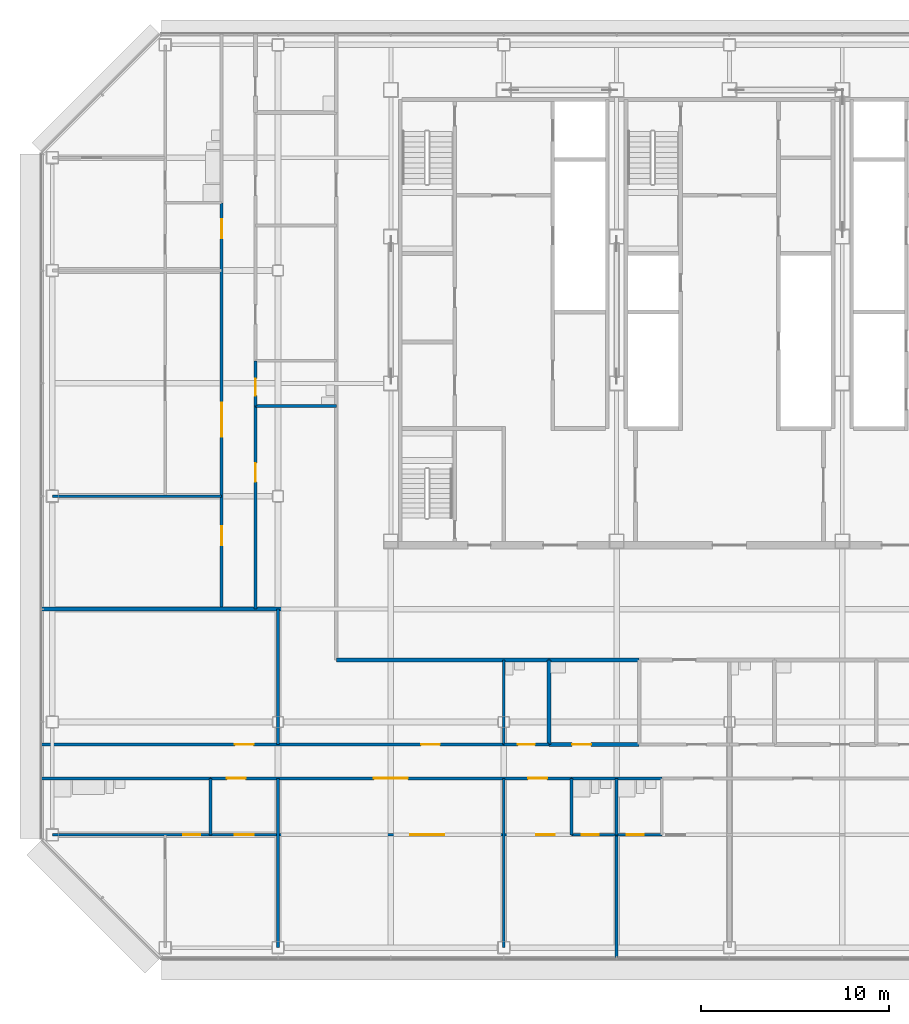
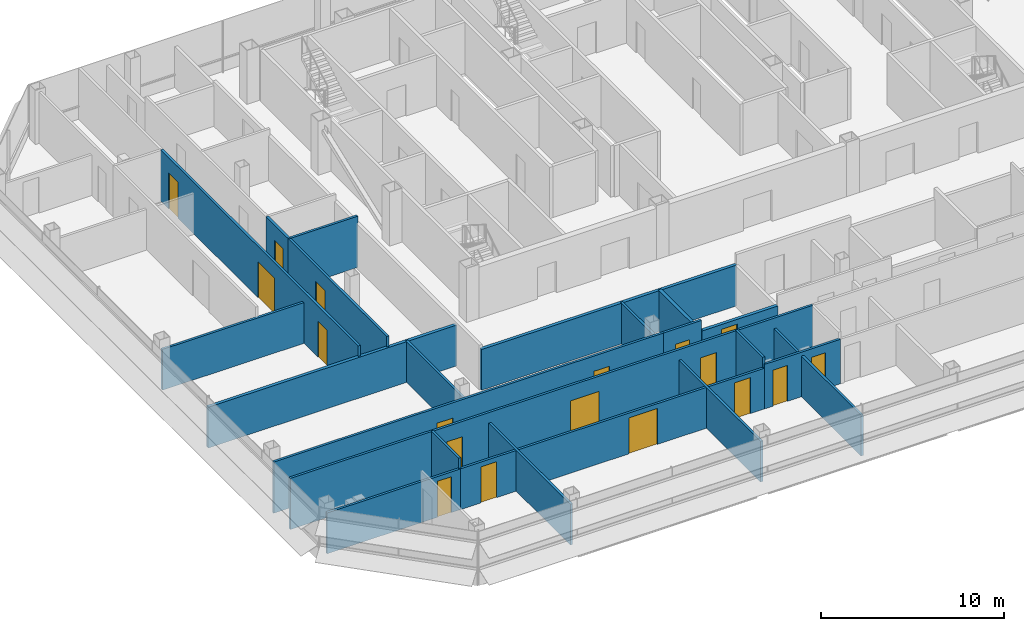
# One storey, part 20 of 29: 26 walls, 18 doors, 18 openings.
"""IFC4 building model written with IfcOpenShell, lengths in metres."""

from ifc_helpers import new_model, si_unit, direction, frame, frame_2d, origin, place, context, subcontext, project, spatial, rectangle, extrude, material, layer, layer_set, type_object, element, fill, save


model = new_model("IFC4")

# Units and contexts
model_context = context("Model", 3, precision=1e-05, world=origin(), true_north=direction((0.0, 1.0)))
body_context = subcontext(model_context, "Body", "Model", "MODEL_VIEW")
ifc_project = project(units=[si_unit("LENGTHUNIT", "METRE"), si_unit("AREAUNIT", "SQUARE_METRE"), si_unit("VOLUMEUNIT", "CUBIC_METRE"), si_unit("PLANEANGLEUNIT", "RADIAN"), si_unit("MASSUNIT", "GRAM", prefix="KILO")], contexts=[model_context])

# Site, building, storey
site_placement = place(None, origin())
site = spatial("IfcSite", under=ifc_project, at=site_placement, CompositionType="ELEMENT")
building_placement = place(site_placement, origin())
building = spatial("IfcBuilding", under=site, at=building_placement, Name="Sorahane Residences", CompositionType="ELEMENT")
storey_placement = place(building_placement, frame((0.0, 0.0, 199.199951171875)))
storey = spatial("IfcBuildingStorey", under=building, at=storey_placement, Name="L46", CompositionType="ELEMENT", Elevation=199.199951171875)

# Walls
ifc_material_1 = material(Name="Concrete blockwork C20 wall", Category="masonry")
ifc_layer_1 = layer(ifc_material_1, 0.199951171875)
ifc_layer_set_1 = layer_set([ifc_layer_1], Name="Corridor wall 200 EI 120")
wall_type_1 = type_object("IfcWallType", Name="Corridor wall 200 EI 120", PredefinedType="SOLIDWALL", material=ifc_layer_set_1)
wall_1_placement = place(storey_placement, frame((3.10009765625, 15.300048828125, 0.0), z_axis=(0.0, 0.0, 1.0), x_axis=(1.0, 0.0, 0.0)))
element("IfcWall", 1, at=wall_1_placement, inside=storey, type_object=wall_type_1, Name="L46 corridor wall", PredefinedType="SOLIDWALL", context=body_context, shape_type="SweptSolid", body=[
    extrude(rectangle(XDim=11.2998046875, YDim=0.199951171875, at=frame_2d((5.64990234375, 0.0))), origin(), (0.0, 0.0, 1.0), 2.719970703125),
])
ifc_material_2 = material(Name="Concrete blockwork C20 wall", Category="masonry")
ifc_layer_2 = layer(ifc_material_2, 0.199951171875)
ifc_layer_set_2 = layer_set([ifc_layer_2], Name="Kitchen wall 200 EI 180")
wall_type_2 = type_object("IfcWallType", Name="Kitchen wall 200 EI 180", PredefinedType="SOLIDWALL", material=ifc_layer_set_2)
wall_2_placement = place(storey_placement, frame((14.39990234375, 10.800048828125, 0.0), z_axis=(0.0, 0.0, 1.0), x_axis=(0.0, 1.0, 0.0)))
element("IfcWall", 2, at=wall_2_placement, inside=storey, type_object=wall_type_2, Name="L46 kitchen wall", PredefinedType="SOLIDWALL", context=body_context, shape_type="SweptSolid", body=[
    extrude(rectangle(XDim=4.5, YDim=0.199951171875, at=frame_2d((2.25, 0.0))), origin(), (0.0, 0.0, 1.0), 2.719970703125),
])

# Wall, opening, door
wall_3_placement = place(storey_placement, frame((14.39990234375, 10.800048828125, 0.0), z_axis=(0.0, 0.0, 1.0), x_axis=(1.0, 0.0, 0.0)))
wall_3 = element("IfcWall", 3, at=wall_3_placement, inside=storey, type_object=wall_type_2, Name="L46 kitchen wall", PredefinedType="SOLIDWALL", context=body_context, shape_type="SweptSolid", body=[
    extrude(rectangle(XDim=4.800048828125, YDim=0.199951171875, at=frame_2d((2.39990234375, 0.0))), origin(), (0.0, 0.0, 1.0), 2.719970703125),
])
opening_1_placement = place(wall_3_placement, frame((1.239990234375, 0.0, 0.0)))
opening_1 = element("IfcOpeningElement", 4, at=opening_1_placement, cuts=wall_3, Name="Opening L46-05", PredefinedType="OPENING", context=body_context, shape_type="SweptSolid", body=[
    extrude(rectangle(XDim=1.0, YDim=2.39990234375, at=frame_2d((0.5, 1.199951171875))), frame((0.0, 0.10986328125, 0.0), z_axis=(0.0, -1.0, 0.0), x_axis=(1.0, 0.0, 0.0)), (0.0, 0.0, 1.0), 0.219970703125),
])
ifc_material_3 = material(Name="Steel", Category="steel")
door_type_1 = type_object("IfcDoorType", Name="Kitchen door 1000x2400 FD120", OperationType="NOTDEFINED", PredefinedType="DOOR", material=ifc_material_3)
door_1_placement = place(opening_1_placement, origin())
door_1 = element("IfcDoor", 5, at=door_1_placement, inside=storey, type_object=door_type_1, Name="Kitchen door L46-05", OperationType="SINGLE_SWING_LEFT", OverallHeight=2.39990234375, OverallWidth=1.0, PredefinedType="DOOR", context=body_context, shape_type="SweptSolid", body=[
    extrude(rectangle(XDim=1.0, YDim=2.39990234375, at=frame_2d((0.5, 1.199951171875))), frame((0.0, 0.02490234375, 0.0), z_axis=(0.0, -1.0, 0.0), x_axis=(1.0, 0.0, 0.0)), (0.0, 0.0, 1.0), 0.050048828125),
])
fill(opening_1, door_1)

# Wall
wall_4_placement = place(storey_placement, frame((14.39990234375, 15.300048828125, 0.0), z_axis=(0.0, 0.0, 1.0), x_axis=(1.0, 0.0, 0.0)))
element("IfcWall", 6, at=wall_4_placement, inside=storey, type_object=wall_type_2, Name="L46 kitchen wall", PredefinedType="SOLIDWALL", context=body_context, shape_type="SweptSolid", body=[
    extrude(rectangle(XDim=4.800048828125, YDim=0.199951171875, at=frame_2d((2.39990234375, 0.0))), origin(), (0.0, 0.0, 1.0), 2.719970703125),
])

# Wall, opening, door
ifc_material_4 = material(Name="Gypsum board partition on steel studs", Category="steel")
ifc_layer_3 = layer(ifc_material_4, 0.14990234375)
ifc_layer_set_3 = layer_set([ifc_layer_3], Name="Partition 150 EI 90")
wall_type_3 = type_object("IfcWallType", Name="Partition 150 EI 90", PredefinedType="PARTITIONING", material=ifc_layer_set_3)
wall_5_placement = place(storey_placement, frame((-1.199951171875, 18.0, 0.0), z_axis=(0.0, 0.0, 1.0), x_axis=(0.0, 1.0, 0.0)))
wall_5 = element("IfcWall", 7, at=wall_5_placement, inside=storey, type_object=wall_type_3, Name="L46 partition", PredefinedType="PARTITIONING", context=body_context, shape_type="SweptSolid", body=[
    extrude(rectangle(XDim=10.800048828125, YDim=0.14990234375, at=frame_2d((5.39990234375, 0.0))), origin(), (0.0, 0.0, 1.0), 3.420166015625),
])
opening_2_placement = place(wall_5_placement, frame((6.760009765625, 0.0, 0.0)))
opening_2 = element("IfcOpeningElement", 8, at=opening_2_placement, cuts=wall_5, Name="Opening L46-31", PredefinedType="OPENING", context=body_context, shape_type="SweptSolid", body=[
    extrude(rectangle(XDim=1.0, YDim=2.39990234375, at=frame_2d((0.5, 1.199951171875))), frame((0.0, 0.0849609375, 0.0), z_axis=(0.0, -1.0, 0.0), x_axis=(1.0, 0.0, 0.0)), (0.0, 0.0, 1.0), 0.169921875),
])
ifc_material_5 = material(Name="Timber veneered fire door", Category="wood")
door_type_2 = type_object("IfcDoorType", Name="Room door 1000x2400 FD30", OperationType="NOTDEFINED", PredefinedType="DOOR", material=ifc_material_5)
door_2_placement = place(opening_2_placement, frame((1.0, 0.0, 0.0), z_axis=(0.0, 0.0, 1.0), x_axis=(-1.0, 0.0, 0.0)))
door_2 = element("IfcDoor", 9, at=door_2_placement, inside=storey, type_object=door_type_2, Name="Room door L46-31", OperationType="SINGLE_SWING_RIGHT", OverallHeight=2.39990234375, OverallWidth=1.0, PredefinedType="DOOR", context=body_context, shape_type="SweptSolid", body=[
    extrude(rectangle(XDim=1.0, YDim=2.39990234375, at=frame_2d((0.5, 1.199951171875))), frame((0.0, 0.02490234375, 0.0), z_axis=(0.0, -1.0, 0.0), x_axis=(1.0, 0.0, 0.0)), (0.0, 0.0, 1.0), 0.050048828125),
])
fill(opening_2, door_2)

# Wall, openings, doors
wall_6_placement = place(storey_placement, frame((-3.0, 18.0, 0.0), z_axis=(0.0, 0.0, 1.0), x_axis=(0.0, 1.0, 0.0)))
wall_6 = element("IfcWall", 10, at=wall_6_placement, inside=storey, type_object=wall_type_3, Name="L46 partition", PredefinedType="PARTITIONING", context=body_context, shape_type="SweptSolid", body=[
    extrude(rectangle(XDim=21.60009765625, YDim=0.14990234375, at=frame_2d((10.800048828125, 0.0))), origin(), (0.0, 0.0, 1.0), 3.420166015625),
])
opening_3_placement = place(wall_6_placement, frame((3.39990234375, 0.0, 0.0)))
opening_3 = element("IfcOpeningElement", 11, at=opening_3_placement, cuts=wall_6, Name="Opening L46-35", PredefinedType="OPENING", context=body_context, shape_type="SweptSolid", body=[
    extrude(rectangle(XDim=1.0, YDim=2.39990234375, at=frame_2d((0.5, 1.199951171875))), frame((0.0, 0.0849609375, 0.0), z_axis=(0.0, -1.0, 0.0), x_axis=(1.0, 0.0, 0.0)), (0.0, 0.0, 1.0), 0.169921875),
])
opening_4_placement = place(wall_6_placement, frame((9.159912109375, 0.0, 0.0)))
opening_4 = element("IfcOpeningElement", 12, at=opening_4_placement, cuts=wall_6, Name="Opening L46-36", PredefinedType="OPENING", context=body_context, shape_type="SweptSolid", body=[
    extrude(rectangle(XDim=1.800048828125, YDim=2.39990234375, at=frame_2d((0.89990234375, 1.199951171875))), frame((0.0, 0.0849609375, 0.0), z_axis=(0.0, -1.0, 0.0), x_axis=(1.0, 0.0, 0.0)), (0.0, 0.0, 1.0), 0.169921875),
])
opening_5_placement = place(wall_6_placement, frame((19.719970703125, 0.0, 0.0)))
opening_5 = element("IfcOpeningElement", 13, at=opening_5_placement, cuts=wall_6, Name="Opening L46-37", PredefinedType="OPENING", context=body_context, shape_type="SweptSolid", body=[
    extrude(rectangle(XDim=1.0, YDim=2.39990234375, at=frame_2d((0.5, 1.199951171875))), frame((0.0, 0.0849609375, 0.0), z_axis=(0.0, -1.0, 0.0), x_axis=(1.0, 0.0, 0.0)), (0.0, 0.0, 1.0), 0.169921875),
])
ifc_material_6 = material(Name="Timber veneered fire door", Category="wood")
door_type_3 = type_object("IfcDoorType", Name="Double door 1800x2400 FD30", OperationType="NOTDEFINED", PredefinedType="DOOR", material=ifc_material_6)
door_3_placement = place(opening_4_placement, origin())
door_3 = element("IfcDoor", 14, at=door_3_placement, inside=storey, type_object=door_type_3, Name="Double door L46-36", OperationType="SINGLE_SWING_LEFT", OverallHeight=2.39990234375, OverallWidth=1.800048828125, PredefinedType="DOOR", context=body_context, shape_type="SweptSolid", body=[
    extrude(rectangle(XDim=1.800048828125, YDim=2.39990234375, at=frame_2d((0.89990234375, 1.199951171875))), frame((0.0, 0.02490234375, 0.0), z_axis=(0.0, -1.0, 0.0), x_axis=(1.0, 0.0, 0.0)), (0.0, 0.0, 1.0), 0.050048828125),
])
fill(opening_4, door_3)
door_4_placement = place(opening_3_placement, origin())
door_4 = element("IfcDoor", 15, at=door_4_placement, inside=storey, type_object=door_type_2, Name="Room door L46-35", OperationType="SINGLE_SWING_RIGHT", OverallHeight=2.39990234375, OverallWidth=1.0, PredefinedType="DOOR", context=body_context, shape_type="SweptSolid", body=[
    extrude(rectangle(XDim=1.0, YDim=2.39990234375, at=frame_2d((0.5, 1.199951171875))), frame((0.0, 0.02490234375, 0.0), z_axis=(0.0, -1.0, 0.0), x_axis=(1.0, 0.0, 0.0)), (0.0, 0.0, 1.0), 0.050048828125),
])
fill(opening_3, door_4)
door_5_placement = place(opening_5_placement, origin())
door_5 = element("IfcDoor", 16, at=door_5_placement, inside=storey, type_object=door_type_2, Name="Room door L46-37", OperationType="SINGLE_SWING_RIGHT", OverallHeight=2.39990234375, OverallWidth=1.0, PredefinedType="DOOR", context=body_context, shape_type="SweptSolid", body=[
    extrude(rectangle(XDim=1.0, YDim=2.39990234375, at=frame_2d((0.5, 1.199951171875))), frame((0.0, 0.02490234375, 0.0), z_axis=(0.0, -1.0, 0.0), x_axis=(1.0, 0.0, 0.0)), (0.0, 0.0, 1.0), 0.050048828125),
])
fill(opening_5, door_5)

# Walls
wall_7_placement = place(storey_placement, frame((0.0, 0.0, 0.0), z_axis=(0.0, 0.0, 1.0), x_axis=(0.0, 1.0, 0.0)))
element("IfcWall", 17, at=wall_7_placement, inside=storey, type_object=wall_type_3, Name="L46 partition", PredefinedType="PARTITIONING", context=body_context, shape_type="SweptSolid", body=[
    extrude(rectangle(XDim=9.0, YDim=0.14990234375, at=frame_2d((4.5, 0.0))), origin(), (0.0, 0.0, 1.0), 2.719970703125),
])
wall_8_placement = place(storey_placement, frame((0.0, 10.800048828125, 0.0), z_axis=(0.0, 0.0, 1.0), x_axis=(0.0, 1.0, 0.0)))
element("IfcWall", 18, at=wall_8_placement, inside=storey, type_object=wall_type_3, Name="L46 partition", PredefinedType="PARTITIONING", context=body_context, shape_type="SweptSolid", body=[
    extrude(rectangle(XDim=7.199951171875, YDim=0.14990234375, at=frame_2d((3.60009765625, 0.0))), origin(), (0.0, 0.0, 1.0), 2.719970703125),
])
wall_9_placement = place(storey_placement, frame((12.0, 0.0, 0.0), z_axis=(0.0, 0.0, 1.0), x_axis=(0.0, 1.0, 0.0)))
element("IfcWall", 19, at=wall_9_placement, inside=storey, type_object=wall_type_3, Name="L46 partition", PredefinedType="PARTITIONING", context=body_context, shape_type="SweptSolid", body=[
    extrude(rectangle(XDim=9.0, YDim=0.14990234375, at=frame_2d((4.5, 0.0))), origin(), (0.0, 0.0, 1.0), 2.719970703125),
])
wall_10_placement = place(storey_placement, frame((18.0, -0.60009765625, 0.0), z_axis=(0.0, 0.0, 1.0), x_axis=(0.0, 1.0, 0.0)))
element("IfcWall", 20, at=wall_10_placement, inside=storey, type_object=wall_type_3, Name="L46 partition", PredefinedType="PARTITIONING", context=body_context, shape_type="SweptSolid", body=[
    extrude(rectangle(XDim=6.60009765625, YDim=0.14990234375, at=frame_2d((3.300048828125, 0.0))), origin(), (0.0, 0.0, 1.0), 2.719970703125),
])

# Wall, openings, doors
wall_11_placement = place(storey_placement, frame((-12.60009765625, 10.800048828125, 0.0), z_axis=(0.0, 0.0, 1.0), x_axis=(1.0, 0.0, 0.0)))
wall_11 = element("IfcWall", 21, at=wall_11_placement, inside=storey, type_object=wall_type_3, Name="L46 partition", PredefinedType="PARTITIONING", context=body_context, shape_type="SweptSolid", body=[
    extrude(rectangle(XDim=24.60009765625, YDim=0.14990234375, at=frame_2d((12.300048828125, 0.0))), origin(), (0.0, 0.0, 1.0), 3.420166015625),
])
opening_6_placement = place(wall_11_placement, frame((10.300048828125, 0.0, 0.0)))
opening_6 = element("IfcOpeningElement", 22, at=opening_6_placement, cuts=wall_11, Name="Opening L46-02", PredefinedType="OPENING", context=body_context, shape_type="SweptSolid", body=[
    extrude(rectangle(XDim=1.0, YDim=2.39990234375, at=frame_2d((0.5, 1.199951171875))), frame((0.0, 0.0849609375, 0.0), z_axis=(0.0, -1.0, 0.0), x_axis=(1.0, 0.0, 0.0)), (0.0, 0.0, 1.0), 0.169921875),
])
opening_7_placement = place(wall_11_placement, frame((20.199951171875, 0.0, 0.0)))
opening_7 = element("IfcOpeningElement", 23, at=opening_7_placement, cuts=wall_11, Name="Opening L46-03", PredefinedType="OPENING", context=body_context, shape_type="SweptSolid", body=[
    extrude(rectangle(XDim=1.0, YDim=2.39990234375, at=frame_2d((0.5, 1.199951171875))), frame((0.0, 0.0849609375, 0.0), z_axis=(0.0, -1.0, 0.0), x_axis=(1.0, 0.0, 0.0)), (0.0, 0.0, 1.0), 0.169921875),
])
door_6_placement = place(opening_6_placement, origin())
door_6 = element("IfcDoor", 24, at=door_6_placement, inside=storey, type_object=door_type_2, Name="Room door L46-02", OperationType="SINGLE_SWING_LEFT", OverallHeight=2.39990234375, OverallWidth=1.0, PredefinedType="DOOR", context=body_context, shape_type="SweptSolid", body=[
    extrude(rectangle(XDim=1.0, YDim=2.39990234375, at=frame_2d((0.5, 1.199951171875))), frame((0.0, 0.02490234375, 0.0), z_axis=(0.0, -1.0, 0.0), x_axis=(1.0, 0.0, 0.0)), (0.0, 0.0, 1.0), 0.050048828125),
])
fill(opening_6, door_6)
door_7_placement = place(opening_7_placement, origin())
door_7 = element("IfcDoor", 25, at=door_7_placement, inside=storey, type_object=door_type_2, Name="Room door L46-03", OperationType="SINGLE_SWING_RIGHT", OverallHeight=2.39990234375, OverallWidth=1.0, PredefinedType="DOOR", context=body_context, shape_type="SweptSolid", body=[
    extrude(rectangle(XDim=1.0, YDim=2.39990234375, at=frame_2d((0.5, 1.199951171875))), frame((0.0, 0.02490234375, 0.0), z_axis=(0.0, -1.0, 0.0), x_axis=(1.0, 0.0, 0.0)), (0.0, 0.0, 1.0), 0.050048828125),
])
fill(opening_7, door_7)

# Wall
wall_12_placement = place(storey_placement, frame((-12.0, 24.0, 0.0), z_axis=(0.0, 0.0, 1.0), x_axis=(1.0, 0.0, 0.0)))
element("IfcWall", 26, at=wall_12_placement, inside=storey, type_object=wall_type_3, Name="L46 partition", PredefinedType="PARTITIONING", context=body_context, shape_type="SweptSolid", body=[
    extrude(rectangle(XDim=9.0, YDim=0.14990234375, at=frame_2d((4.5, 0.0))), origin(), (0.0, 0.0, 1.0), 2.719970703125),
])

# Wall, openings, doors
wall_13_placement = place(storey_placement, frame((-3.60009765625, 6.0, 0.0), z_axis=(0.0, 0.0, 1.0), x_axis=(1.0, 0.0, 0.0)))
wall_13 = element("IfcWall", 27, at=wall_13_placement, inside=storey, type_object=wall_type_3, Name="L46 partition", PredefinedType="PARTITIONING", context=body_context, shape_type="SweptSolid", body=[
    extrude(rectangle(XDim=19.2001953125, YDim=0.14990234375, at=frame_2d((9.60009765625, 0.0))), origin(), (0.0, 0.0, 1.0), 2.719970703125),
])
opening_8_placement = place(wall_13_placement, frame((1.300048828125, 0.0, 0.0)))
opening_8 = element("IfcOpeningElement", 28, at=opening_8_placement, cuts=wall_13, Name="Opening L46-10", PredefinedType="OPENING", context=body_context, shape_type="SweptSolid", body=[
    extrude(rectangle(XDim=1.0, YDim=2.39990234375, at=frame_2d((0.5, 1.199951171875))), frame((0.0, 0.0849609375, 0.0), z_axis=(0.0, -1.0, 0.0), x_axis=(1.0, 0.0, 0.0)), (0.0, 0.0, 1.0), 0.169921875),
])
opening_9_placement = place(wall_13_placement, frame((10.639892578125, 0.0, 0.0)))
opening_9 = element("IfcOpeningElement", 29, at=opening_9_placement, cuts=wall_13, Name="Opening L46-13", PredefinedType="OPENING", context=body_context, shape_type="SweptSolid", body=[
    extrude(rectangle(XDim=1.800048828125, YDim=2.39990234375, at=frame_2d((0.89990234375, 1.199951171875))), frame((0.0, 0.0849609375, 0.0), z_axis=(0.0, -1.0, 0.0), x_axis=(1.0, 0.0, 0.0)), (0.0, 0.0, 1.0), 0.169921875),
])
opening_10_placement = place(wall_13_placement, frame((17.320068359375, 0.0, 0.0)))
opening_10 = element("IfcOpeningElement", 30, at=opening_10_placement, cuts=wall_13, Name="Opening L46-14", PredefinedType="OPENING", context=body_context, shape_type="SweptSolid", body=[
    extrude(rectangle(XDim=1.0, YDim=2.39990234375, at=frame_2d((0.5, 1.199951171875))), frame((0.0, 0.0849609375, 0.0), z_axis=(0.0, -1.0, 0.0), x_axis=(1.0, 0.0, 0.0)), (0.0, 0.0, 1.0), 0.169921875),
])
door_8_placement = place(opening_9_placement, frame((1.800048828125, 0.0, 0.0), z_axis=(0.0, 0.0, 1.0), x_axis=(-1.0, 0.0, 0.0)))
door_8 = element("IfcDoor", 31, at=door_8_placement, inside=storey, type_object=door_type_3, Name="Double door L46-13", OperationType="SINGLE_SWING_LEFT", OverallHeight=2.39990234375, OverallWidth=1.800048828125, PredefinedType="DOOR", context=body_context, shape_type="SweptSolid", body=[
    extrude(rectangle(XDim=1.800048828125, YDim=2.39990234375, at=frame_2d((0.89990234375, 1.199951171875))), frame((0.0, 0.02490234375, 0.0), z_axis=(0.0, -1.0, 0.0), x_axis=(1.0, 0.0, 0.0)), (0.0, 0.0, 1.0), 0.050048828125),
])
fill(opening_9, door_8)
door_9_placement = place(opening_8_placement, frame((1.0, 0.0, 0.0), z_axis=(0.0, 0.0, 1.0), x_axis=(-1.0, 0.0, 0.0)))
door_9 = element("IfcDoor", 32, at=door_9_placement, inside=storey, type_object=door_type_2, Name="Room door L46-10", OperationType="SINGLE_SWING_LEFT", OverallHeight=2.39990234375, OverallWidth=1.0, PredefinedType="DOOR", context=body_context, shape_type="SweptSolid", body=[
    extrude(rectangle(XDim=1.0, YDim=2.39990234375, at=frame_2d((0.5, 1.199951171875))), frame((0.0, 0.02490234375, 0.0), z_axis=(0.0, -1.0, 0.0), x_axis=(1.0, 0.0, 0.0)), (0.0, 0.0, 1.0), 0.050048828125),
])
fill(opening_8, door_9)
door_10_placement = place(opening_10_placement, frame((1.0, 0.0, 0.0), z_axis=(0.0, 0.0, 1.0), x_axis=(-1.0, 0.0, 0.0)))
door_10 = element("IfcDoor", 33, at=door_10_placement, inside=storey, type_object=door_type_2, Name="Room door L46-14", OperationType="SINGLE_SWING_LEFT", OverallHeight=2.39990234375, OverallWidth=1.0, PredefinedType="DOOR", context=body_context, shape_type="SweptSolid", body=[
    extrude(rectangle(XDim=1.0, YDim=2.39990234375, at=frame_2d((0.5, 1.199951171875))), frame((0.0, 0.02490234375, 0.0), z_axis=(0.0, -1.0, 0.0), x_axis=(1.0, 0.0, 0.0)), (0.0, 0.0, 1.0), 0.050048828125),
])
fill(opening_10, door_10)

wall_14_placement = place(storey_placement, frame((-3.60009765625, 9.0, 0.0), z_axis=(0.0, 0.0, 1.0), x_axis=(1.0, 0.0, 0.0)))
wall_14 = element("IfcWall", 34, at=wall_14_placement, inside=storey, type_object=wall_type_3, Name="L46 partition", PredefinedType="PARTITIONING", context=body_context, shape_type="SweptSolid", body=[
    extrude(rectangle(XDim=19.2001953125, YDim=0.14990234375, at=frame_2d((9.60009765625, 0.0))), origin(), (0.0, 0.0, 1.0), 3.420166015625),
])
opening_11_placement = place(wall_14_placement, frame((0.8798828125, 0.0, 0.0)))
opening_11 = element("IfcOpeningElement", 35, at=opening_11_placement, cuts=wall_14, Name="Opening L46-06", PredefinedType="OPENING", context=body_context, shape_type="SweptSolid", body=[
    extrude(rectangle(XDim=1.0, YDim=2.39990234375, at=frame_2d((0.5, 1.199951171875))), frame((0.0, 0.0849609375, 0.0), z_axis=(0.0, -1.0, 0.0), x_axis=(1.0, 0.0, 0.0)), (0.0, 0.0, 1.0), 0.169921875),
])
opening_12_placement = place(wall_14_placement, frame((8.699951171875, 0.0, 0.0)))
opening_12 = element("IfcOpeningElement", 36, at=opening_12_placement, cuts=wall_14, Name="Opening L46-07", PredefinedType="OPENING", context=body_context, shape_type="SweptSolid", body=[
    extrude(rectangle(XDim=1.800048828125, YDim=2.39990234375, at=frame_2d((0.89990234375, 1.199951171875))), frame((0.0, 0.0849609375, 0.0), z_axis=(0.0, -1.0, 0.0), x_axis=(1.0, 0.0, 0.0)), (0.0, 0.0, 1.0), 0.169921875),
])
opening_13_placement = place(wall_14_placement, frame((16.89990234375, 0.0, 0.0)))
opening_13 = element("IfcOpeningElement", 37, at=opening_13_placement, cuts=wall_14, Name="Opening L46-08", PredefinedType="OPENING", context=body_context, shape_type="SweptSolid", body=[
    extrude(rectangle(XDim=1.0, YDim=2.39990234375, at=frame_2d((0.5, 1.199951171875))), frame((0.0, 0.0849609375, 0.0), z_axis=(0.0, -1.0, 0.0), x_axis=(1.0, 0.0, 0.0)), (0.0, 0.0, 1.0), 0.169921875),
])
door_11_placement = place(opening_12_placement, frame((1.800048828125, 0.0, 0.0), z_axis=(0.0, 0.0, 1.0), x_axis=(-1.0, 0.0, 0.0)))
door_11 = element("IfcDoor", 38, at=door_11_placement, inside=storey, type_object=door_type_3, Name="Double door L46-07", OperationType="SINGLE_SWING_LEFT", OverallHeight=2.39990234375, OverallWidth=1.800048828125, PredefinedType="DOOR", context=body_context, shape_type="SweptSolid", body=[
    extrude(rectangle(XDim=1.800048828125, YDim=2.39990234375, at=frame_2d((0.89990234375, 1.199951171875))), frame((0.0, 0.02490234375, 0.0), z_axis=(0.0, -1.0, 0.0), x_axis=(1.0, 0.0, 0.0)), (0.0, 0.0, 1.0), 0.050048828125),
])
fill(opening_12, door_11)
door_12_placement = place(opening_11_placement, frame((1.0, 0.0, 0.0), z_axis=(0.0, 0.0, 1.0), x_axis=(-1.0, 0.0, 0.0)))
door_12 = element("IfcDoor", 39, at=door_12_placement, inside=storey, type_object=door_type_2, Name="Room door L46-06", OperationType="SINGLE_SWING_LEFT", OverallHeight=2.39990234375, OverallWidth=1.0, PredefinedType="DOOR", context=body_context, shape_type="SweptSolid", body=[
    extrude(rectangle(XDim=1.0, YDim=2.39990234375, at=frame_2d((0.5, 1.199951171875))), frame((0.0, 0.02490234375, 0.0), z_axis=(0.0, -1.0, 0.0), x_axis=(1.0, 0.0, 0.0)), (0.0, 0.0, 1.0), 0.050048828125),
])
fill(opening_11, door_12)
door_13_placement = place(opening_13_placement, frame((1.0, 0.0, 0.0), z_axis=(0.0, 0.0, 1.0), x_axis=(-1.0, 0.0, 0.0)))
door_13 = element("IfcDoor", 40, at=door_13_placement, inside=storey, type_object=door_type_2, Name="Room door L46-08", OperationType="SINGLE_SWING_RIGHT", OverallHeight=2.39990234375, OverallWidth=1.0, PredefinedType="DOOR", context=body_context, shape_type="SweptSolid", body=[
    extrude(rectangle(XDim=1.0, YDim=2.39990234375, at=frame_2d((0.5, 1.199951171875))), frame((0.0, 0.02490234375, 0.0), z_axis=(0.0, -1.0, 0.0), x_axis=(1.0, 0.0, 0.0)), (0.0, 0.0, 1.0), 0.050048828125),
])
fill(opening_13, door_13)

# Wall
ifc_material_7 = material(Name="Concrete blockwork C20 wall", Category="masonry")
ifc_layer_4 = layer(ifc_material_7, 0.199951171875)
ifc_layer_set_4 = layer_set([ifc_layer_4], Name="Party wall 200 EI 120")
wall_type_4 = type_object("IfcWallType", Name="Party wall 200 EI 120", PredefinedType="SOLIDWALL", material=ifc_layer_set_4)
wall_15_placement = place(storey_placement, frame((-12.60009765625, 18.0, 0.0), z_axis=(0.0, 0.0, 1.0), x_axis=(1.0, 0.0, 0.0)))
element("IfcWall", 41, at=wall_15_placement, inside=storey, type_object=wall_type_4, Name="L46 party wall", PredefinedType="SOLIDWALL", context=body_context, shape_type="SweptSolid", body=[
    extrude(rectangle(XDim=15.7001953125, YDim=0.199951171875, at=frame_2d((7.85009765625, 0.0))), origin(), (0.0, 0.0, 1.0), 2.719970703125),
])

# Wall, opening, door
ifc_material_8 = material(Name="Gypsum board partition on steel studs", Category="steel")
ifc_layer_5 = layer(ifc_material_8, 0.14990234375)
ifc_layer_set_5 = layer_set([ifc_layer_5], Name="Wet wall 150 EI 90")
wall_type_5 = type_object("IfcWallType", Name="Wet wall 150 EI 90", PredefinedType="PARTITIONING", material=ifc_layer_set_5)
wall_16_placement = place(storey_placement, frame((-1.199951171875, 28.800048828125, 0.0), z_axis=(0.0, 0.0, 1.0), x_axis=(0.0, 1.0, 0.0)))
wall_16 = element("IfcWall", 42, at=wall_16_placement, inside=storey, type_object=wall_type_5, Name="L46 wet wall", PredefinedType="PARTITIONING", context=body_context, shape_type="SweptSolid", body=[
    extrude(rectangle(XDim=2.39990234375, YDim=0.14990234375, at=frame_2d((1.199951171875, 0.0))), origin(), (0.0, 0.0, 1.0), 3.420166015625),
])
opening_14_placement = place(wall_16_placement, frame((0.550048828125, 0.0, 0.0)))
opening_14 = element("IfcOpeningElement", 43, at=opening_14_placement, cuts=wall_16, Name="Opening L46-32", PredefinedType="OPENING", context=body_context, shape_type="SweptSolid", body=[
    extrude(rectangle(XDim=0.89990234375, YDim=2.39990234375, at=frame_2d((0.449951171875, 1.199951171875))), frame((0.0, 0.0849609375, 0.0), z_axis=(0.0, -1.0, 0.0), x_axis=(1.0, 0.0, 0.0)), (0.0, 0.0, 1.0), 0.169921875),
])
ifc_material_9 = material(Name="Timber veneered fire door", Category="wood")
door_type_4 = type_object("IfcDoorType", Name="Bathroom door 900x2400 FD30", OperationType="NOTDEFINED", PredefinedType="DOOR", material=ifc_material_9)
door_14_placement = place(opening_14_placement, origin())
door_14 = element("IfcDoor", 44, at=door_14_placement, inside=storey, type_object=door_type_4, Name="Bathroom door L46-32", OperationType="SINGLE_SWING_LEFT", OverallHeight=2.39990234375, OverallWidth=0.89990234375, PredefinedType="DOOR", context=body_context, shape_type="SweptSolid", body=[
    extrude(rectangle(XDim=0.89990234375, YDim=2.39990234375, at=frame_2d((0.449951171875, 1.199951171875))), frame((0.0, 0.02490234375, 0.0), z_axis=(0.0, -1.0, 0.0), x_axis=(1.0, 0.0, 0.0)), (0.0, 0.0, 1.0), 0.050048828125),
])
fill(opening_14, door_14)

# Walls
wall_17_placement = place(storey_placement, frame((-3.60009765625, 6.0, 0.0), z_axis=(0.0, 0.0, 1.0), x_axis=(0.0, 1.0, 0.0)))
element("IfcWall", 45, at=wall_17_placement, inside=storey, type_object=wall_type_5, Name="L46 wet wall", PredefinedType="PARTITIONING", context=body_context, shape_type="SweptSolid", body=[
    extrude(rectangle(XDim=3.0, YDim=0.14990234375, at=frame_2d((1.5, 0.0))), origin(), (0.0, 0.0, 1.0), 3.420166015625),
])
wall_18_placement = place(storey_placement, frame((12.0, 10.800048828125, 0.0), z_axis=(0.0, 0.0, 1.0), x_axis=(0.0, 1.0, 0.0)))
element("IfcWall", 46, at=wall_18_placement, inside=storey, type_object=wall_type_5, Name="L46 wet wall", PredefinedType="PARTITIONING", context=body_context, shape_type="SweptSolid", body=[
    extrude(rectangle(XDim=4.5, YDim=0.14990234375, at=frame_2d((2.25, 0.0))), origin(), (0.0, 0.0, 1.0), 2.719970703125),
])
wall_19_placement = place(storey_placement, frame((15.60009765625, 6.0, 0.0), z_axis=(0.0, 0.0, 1.0), x_axis=(0.0, 1.0, 0.0)))
element("IfcWall", 47, at=wall_19_placement, inside=storey, type_object=wall_type_5, Name="L46 wet wall", PredefinedType="PARTITIONING", context=body_context, shape_type="SweptSolid", body=[
    extrude(rectangle(XDim=3.0, YDim=0.14990234375, at=frame_2d((1.5, 0.0))), origin(), (0.0, 0.0, 1.0), 3.420166015625),
])
wall_20_placement = place(storey_placement, frame((18.0, 6.0, 0.0), z_axis=(0.0, 0.0, 1.0), x_axis=(0.0, 1.0, 0.0)))
element("IfcWall", 48, at=wall_20_placement, inside=storey, type_object=wall_type_5, Name="L46 wet wall", PredefinedType="PARTITIONING", context=body_context, shape_type="SweptSolid", body=[
    extrude(rectangle(XDim=3.0, YDim=0.14990234375, at=frame_2d((1.5, 0.0))), origin(), (0.0, 0.0, 1.0), 2.719970703125),
])

# Wall, opening, door
wall_21_placement = place(storey_placement, frame((12.0, 10.800048828125, 0.0), z_axis=(0.0, 0.0, 1.0), x_axis=(1.0, 0.0, 0.0)))
wall_21 = element("IfcWall", 49, at=wall_21_placement, inside=storey, type_object=wall_type_5, Name="L46 wet wall", PredefinedType="PARTITIONING", context=body_context, shape_type="SweptSolid", body=[
    extrude(rectangle(XDim=2.39990234375, YDim=0.14990234375, at=frame_2d((1.199951171875, 0.0))), origin(), (0.0, 0.0, 1.0), 3.420166015625),
])
opening_15_placement = place(wall_21_placement, frame((0.75, 0.0, 0.0)))
opening_15 = element("IfcOpeningElement", 50, at=opening_15_placement, cuts=wall_21, Name="Opening L46-04", PredefinedType="OPENING", context=body_context, shape_type="SweptSolid", body=[
    extrude(rectangle(XDim=0.89990234375, YDim=2.39990234375, at=frame_2d((0.449951171875, 1.199951171875))), frame((0.0, 0.0849609375, 0.0), z_axis=(0.0, -1.0, 0.0), x_axis=(1.0, 0.0, 0.0)), (0.0, 0.0, 1.0), 0.169921875),
])
door_15_placement = place(opening_15_placement, frame((0.89990234375, 0.0, 0.0), z_axis=(0.0, 0.0, 1.0), x_axis=(-1.0, 0.0, 0.0)))
door_15 = element("IfcDoor", 51, at=door_15_placement, inside=storey, type_object=door_type_4, Name="Bathroom door L46-04", OperationType="SINGLE_SWING_RIGHT", OverallHeight=2.39990234375, OverallWidth=0.89990234375, PredefinedType="DOOR", context=body_context, shape_type="SweptSolid", body=[
    extrude(rectangle(XDim=0.89990234375, YDim=2.39990234375, at=frame_2d((0.449951171875, 1.199951171875))), frame((0.0, 0.02490234375, 0.0), z_axis=(0.0, -1.0, 0.0), x_axis=(1.0, 0.0, 0.0)), (0.0, 0.0, 1.0), 0.050048828125),
])
fill(opening_15, door_15)

# Wall
wall_22_placement = place(storey_placement, frame((-1.199951171875, 28.800048828125, 0.0), z_axis=(0.0, 0.0, 1.0), x_axis=(1.0, 0.0, 0.0)))
element("IfcWall", 52, at=wall_22_placement, inside=storey, type_object=wall_type_5, Name="L46 wet wall", PredefinedType="PARTITIONING", context=body_context, shape_type="SweptSolid", body=[
    extrude(rectangle(XDim=4.300048828125, YDim=0.14990234375, at=frame_2d((2.14990234375, 0.0))), origin(), (0.0, 0.0, 1.0), 3.420166015625),
])

# Wall, opening, door
wall_23_placement = place(storey_placement, frame((-12.0, 6.0, 0.0), z_axis=(0.0, 0.0, 1.0), x_axis=(1.0, 0.0, 0.0)))
wall_23 = element("IfcWall", 53, at=wall_23_placement, inside=storey, type_object=wall_type_5, Name="L46 wet wall", PredefinedType="PARTITIONING", context=body_context, shape_type="SweptSolid", body=[
    extrude(rectangle(XDim=8.39990234375, YDim=0.14990234375, at=frame_2d((4.199951171875, 0.0))), origin(), (0.0, 0.0, 1.0), 2.719970703125),
])
opening_16_placement = place(wall_23_placement, frame((6.949951171875, 0.0, 0.0)))
opening_16 = element("IfcOpeningElement", 54, at=opening_16_placement, cuts=wall_23, Name="Opening L46-12", PredefinedType="OPENING", context=body_context, shape_type="SweptSolid", body=[
    extrude(rectangle(XDim=0.89990234375, YDim=2.39990234375, at=frame_2d((0.449951171875, 1.199951171875))), frame((0.0, 0.0849609375, 0.0), z_axis=(0.0, -1.0, 0.0), x_axis=(1.0, 0.0, 0.0)), (0.0, 0.0, 1.0), 0.169921875),
])
door_16_placement = place(opening_16_placement, frame((0.89990234375, 0.0, 0.0), z_axis=(0.0, 0.0, 1.0), x_axis=(-1.0, 0.0, 0.0)))
door_16 = element("IfcDoor", 55, at=door_16_placement, inside=storey, type_object=door_type_4, Name="Bathroom door L46-12", OperationType="SINGLE_SWING_LEFT", OverallHeight=2.39990234375, OverallWidth=0.89990234375, PredefinedType="DOOR", context=body_context, shape_type="SweptSolid", body=[
    extrude(rectangle(XDim=0.89990234375, YDim=2.39990234375, at=frame_2d((0.449951171875, 1.199951171875))), frame((0.0, 0.02490234375, 0.0), z_axis=(0.0, -1.0, 0.0), x_axis=(1.0, 0.0, 0.0)), (0.0, 0.0, 1.0), 0.050048828125),
])
fill(opening_16, door_16)

# Wall, openings, doors
wall_24_placement = place(storey_placement, frame((15.60009765625, 6.0, 0.0), z_axis=(0.0, 0.0, 1.0), x_axis=(1.0, 0.0, 0.0)))
wall_24 = element("IfcWall", 56, at=wall_24_placement, inside=storey, type_object=wall_type_5, Name="L46 wet wall", PredefinedType="PARTITIONING", context=body_context, shape_type="SweptSolid", body=[
    extrude(rectangle(XDim=4.7998046875, YDim=0.14990234375, at=frame_2d((2.39990234375, 0.0))), origin(), (0.0, 0.0, 1.0), 2.969970703125),
])
opening_17_placement = place(wall_24_placement, frame((0.550048828125, 0.0, 0.0)))
opening_17 = element("IfcOpeningElement", 57, at=opening_17_placement, cuts=wall_24, Name="Opening L46-15", PredefinedType="OPENING", context=body_context, shape_type="SweptSolid", body=[
    extrude(rectangle(XDim=0.89990234375, YDim=2.39990234375, at=frame_2d((0.449951171875, 1.199951171875))), frame((0.0, 0.0849609375, 0.0), z_axis=(0.0, -1.0, 0.0), x_axis=(1.0, 0.0, 0.0)), (0.0, 0.0, 1.0), 0.169921875),
])
opening_18_placement = place(wall_24_placement, frame((2.949951171875, 0.0, 0.0)))
opening_18 = element("IfcOpeningElement", 58, at=opening_18_placement, cuts=wall_24, Name="Opening L46-17", PredefinedType="OPENING", context=body_context, shape_type="SweptSolid", body=[
    extrude(rectangle(XDim=0.89990234375, YDim=2.39990234375, at=frame_2d((0.449951171875, 1.199951171875))), frame((0.0, 0.0849609375, 0.0), z_axis=(0.0, -1.0, 0.0), x_axis=(1.0, 0.0, 0.0)), (0.0, 0.0, 1.0), 0.169921875),
])
door_17_placement = place(opening_17_placement, frame((0.89990234375, 0.0, 0.0), z_axis=(0.0, 0.0, 1.0), x_axis=(-1.0, 0.0, 0.0)))
door_17 = element("IfcDoor", 59, at=door_17_placement, inside=storey, type_object=door_type_4, Name="Bathroom door L46-15", OperationType="SINGLE_SWING_LEFT", OverallHeight=2.39990234375, OverallWidth=0.89990234375, PredefinedType="DOOR", context=body_context, shape_type="SweptSolid", body=[
    extrude(rectangle(XDim=0.89990234375, YDim=2.39990234375, at=frame_2d((0.449951171875, 1.199951171875))), frame((0.0, 0.02490234375, 0.0), z_axis=(0.0, -1.0, 0.0), x_axis=(1.0, 0.0, 0.0)), (0.0, 0.0, 1.0), 0.050048828125),
])
fill(opening_17, door_17)
door_18_placement = place(opening_18_placement, frame((0.89990234375, 0.0, 0.0), z_axis=(0.0, 0.0, 1.0), x_axis=(-1.0, 0.0, 0.0)))
door_18 = element("IfcDoor", 60, at=door_18_placement, inside=storey, type_object=door_type_4, Name="Bathroom door L46-17", OperationType="SINGLE_SWING_LEFT", OverallHeight=2.39990234375, OverallWidth=0.89990234375, PredefinedType="DOOR", context=body_context, shape_type="SweptSolid", body=[
    extrude(rectangle(XDim=0.89990234375, YDim=2.39990234375, at=frame_2d((0.449951171875, 1.199951171875))), frame((0.0, 0.02490234375, 0.0), z_axis=(0.0, -1.0, 0.0), x_axis=(1.0, 0.0, 0.0)), (0.0, 0.0, 1.0), 0.050048828125),
])
fill(opening_18, door_18)

# Walls
wall_25_placement = place(storey_placement, frame((-12.60009765625, 9.0, 0.0), z_axis=(0.0, 0.0, 1.0), x_axis=(1.0, 0.0, 0.0)))
element("IfcWall", 61, at=wall_25_placement, inside=storey, type_object=wall_type_5, Name="L46 wet wall", PredefinedType="PARTITIONING", context=body_context, shape_type="SweptSolid", body=[
    extrude(rectangle(XDim=9.0, YDim=0.14990234375, at=frame_2d((4.5, 0.0))), origin(), (0.0, 0.0, 1.0), 3.420166015625),
])
wall_26_placement = place(storey_placement, frame((15.60009765625, 9.0, 0.0), z_axis=(0.0, 0.0, 1.0), x_axis=(1.0, 0.0, 0.0)))
element("IfcWall", 62, at=wall_26_placement, inside=storey, type_object=wall_type_5, Name="L46 wet wall", PredefinedType="PARTITIONING", context=body_context, shape_type="SweptSolid", body=[
    extrude(rectangle(XDim=4.7998046875, YDim=0.14990234375, at=frame_2d((2.39990234375, 0.0))), origin(), (0.0, 0.0, 1.0), 3.420166015625),
])

save(model, "model.ifc")
